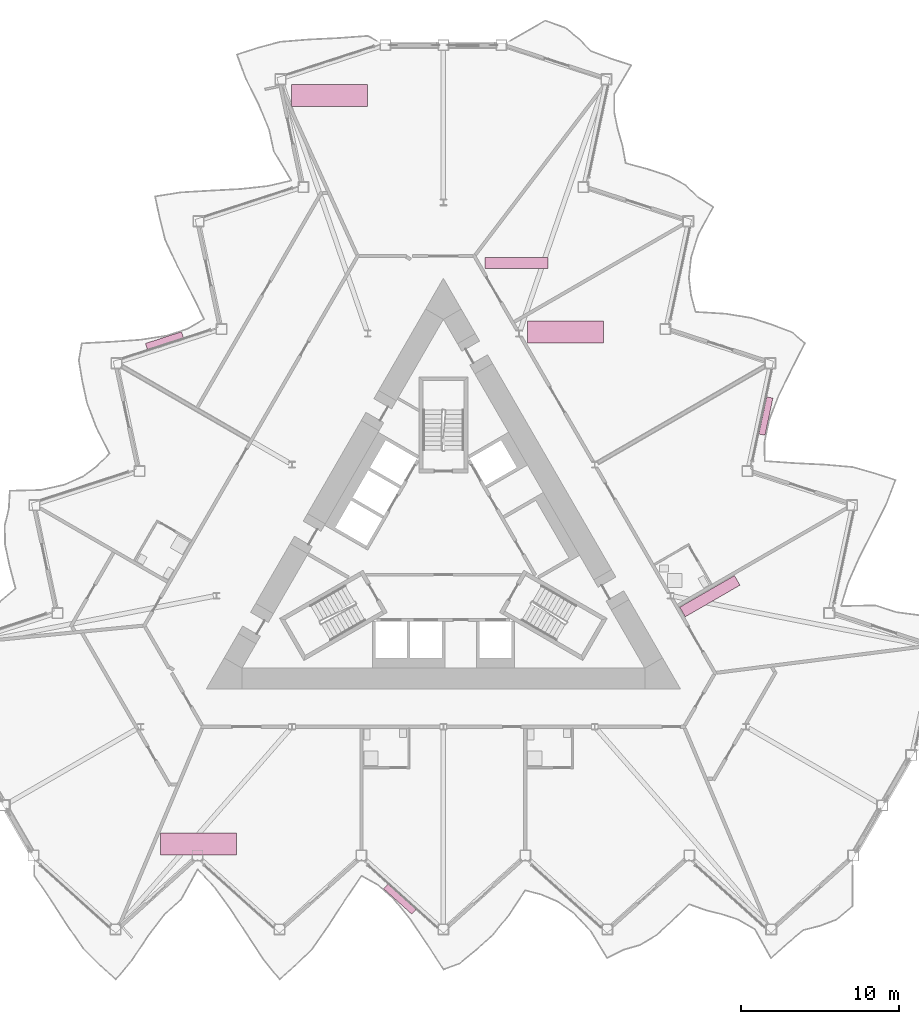
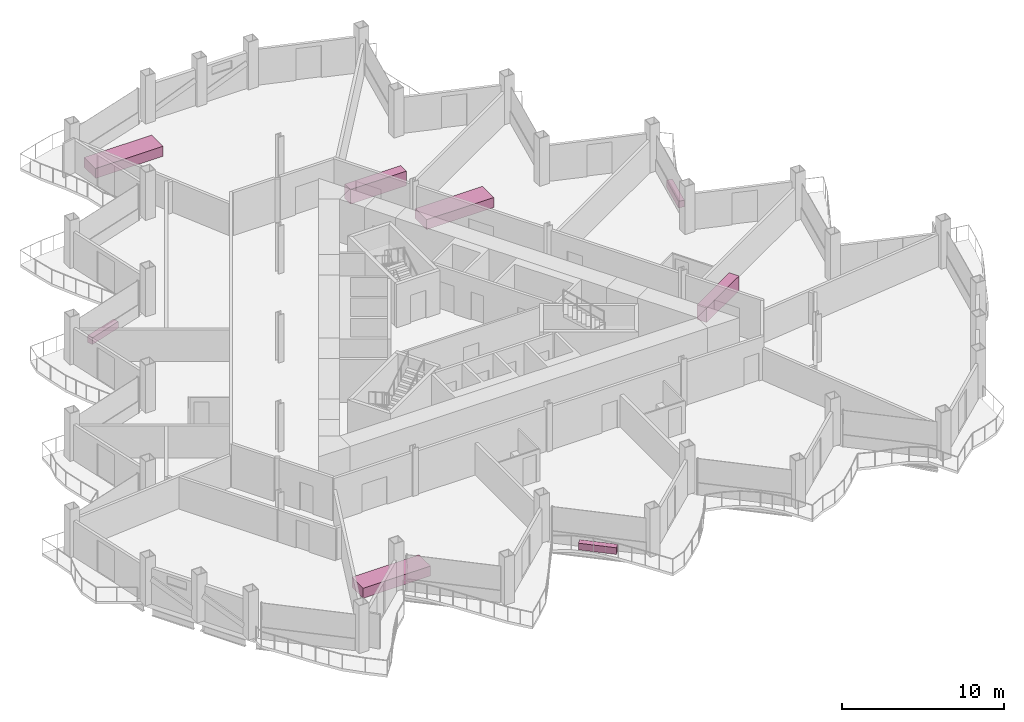
# One storey, part 23 of 23: 8 furniture elements.
"""IFC4 building model written with IfcOpenShell, lengths in metres."""

from ifc_helpers import new_model, si_unit, direction, frame, origin, origin_2d, place, context, subcontext, project, spatial, rectangle, extrude, material, type_object, element, save


model = new_model("IFC4")

# Units and contexts
model_context = context("Model", 3, precision=1e-05, world=origin(), true_north=direction((0.0, 1.0)))
body_context = subcontext(model_context, "Body", "Model", "MODEL_VIEW")
ifc_project = project(units=[si_unit("LENGTHUNIT", "METRE"), si_unit("AREAUNIT", "SQUARE_METRE"), si_unit("VOLUMEUNIT", "CUBIC_METRE"), si_unit("PLANEANGLEUNIT", "RADIAN"), si_unit("MASSUNIT", "GRAM", prefix="KILO")], contexts=[model_context])

# Site, building, storey
site_placement = place(None, origin())
site = spatial("IfcSite", under=ifc_project, at=site_placement, CompositionType="ELEMENT")
building_placement = place(site_placement, origin())
building = spatial("IfcBuilding", under=site, at=building_placement, Name="Cormorant Prow Tower", CompositionType="ELEMENT")
storey_placement = place(building_placement, frame((0.0, 0.0, 267.0)))
storey = spatial("IfcBuildingStorey", under=building, at=storey_placement, Name="L60", CompositionType="ELEMENT", Elevation=267.0)

# Furniture
ifc_material_1 = material(Name="Terracotta", Category="masonry")
furniture_type_1 = type_object("IfcFurnitureType", Name="Balcony planter 2400x400x500", AssemblyPlace="NOTDEFINED", PredefinedType="USERDEFINED", material=ifc_material_1)
for number, where, z_axis, x_axis, name in (
    (1, (-2.758544921875, -21.975341796875, 0.0), (0.0, 0.0, 1.0), (0.743144856192, -0.669130572247, 0.0), "Balcony planter S04"),
    (2, (20.410400390625, 8.5986328125, 0.0), (0.0, 0.0, 1.0), (0.20791174707, 0.978147588777, 0.0), "Balcony planter ENE04"),
    (3, (-17.65185546875, 13.376708984375, 0.0), (0.0, 0.0, 1.0), (-0.951056515173, -0.309016997828, 0.0), "Balcony planter WNW04"),
):
    element("IfcFurniture", number, at=place(storey_placement, frame(where, z_axis=z_axis, x_axis=x_axis)), inside=storey, type_object=furniture_type_1, Name=name, ObjectType="PLANTER", PredefinedType="USERDEFINED", context=body_context, shape_type="SweptSolid", body=[
        extrude(rectangle(XDim=2.39990234375, YDim=0.39990234375, at=origin_2d()), origin(), (0.0, 0.0, 1.0), 0.5),
    ])
ifc_material_2 = material(Name="Timber joinery", Category="wood")
furniture_type_2 = type_object("IfcFurnitureType", Name="Bar counter 4000x700", AssemblyPlace="NOTDEFINED", PredefinedType="NOTDEFINED", material=ifc_material_2)
for number, where, z_axis, x_axis, name in (
    (4, (16.8662109375, -2.802734375, 0.0), (0.0, 0.0, 1.0), (0.866025403784, 0.5, 0.0), "Bar counter"),
    (5, (4.626953125, 18.28662109375, 0.0), (0.0, 0.0, 1.0), (1.0, 0.0, 0.0), "Bar counter"),
):
    element("IfcFurniture", number, at=place(storey_placement, frame(where, z_axis=z_axis, x_axis=x_axis)), inside=storey, type_object=furniture_type_2, Name=name, PredefinedType="NOTDEFINED", context=body_context, shape_type="SweptSolid", body=[
        extrude(rectangle(XDim=4.0, YDim=0.699951171875, at=origin_2d()), origin(), (0.0, 0.0, 1.0), 1.10009765625),
    ])
ifc_material_3 = material(Name="Timber joinery", Category="wood")
furniture_type_3 = type_object("IfcFurnitureType", Name="Conference table 4800x1400", AssemblyPlace="NOTDEFINED", PredefinedType="TABLE", material=ifc_material_3)
for number, where, z_axis, x_axis, name in (
    (6, (-15.495361328125, -18.4951171875, 0.0), (0.0, 0.0, 1.0), (1.0, 0.0, 0.0), "Conference table"),
    (7, (7.7255859375, 13.909912109375, 0.0), (0.0, 0.0, 1.0), (1.0, 0.0, 0.0), "Conference table"),
    (8, (-7.21484375, 28.900146484375, 0.0), (0.0, 0.0, 1.0), (1.0, 0.0, 0.0), "Conference table"),
):
    element("IfcFurniture", number, at=place(storey_placement, frame(where, z_axis=z_axis, x_axis=x_axis)), inside=storey, type_object=furniture_type_3, Name=name, PredefinedType="TABLE", context=body_context, shape_type="SweptSolid", body=[
        extrude(rectangle(XDim=4.800048828125, YDim=1.39990234375, at=origin_2d()), origin(), (0.0, 0.0, 1.0), 0.75),
    ])

save(model, "model.ifc")
